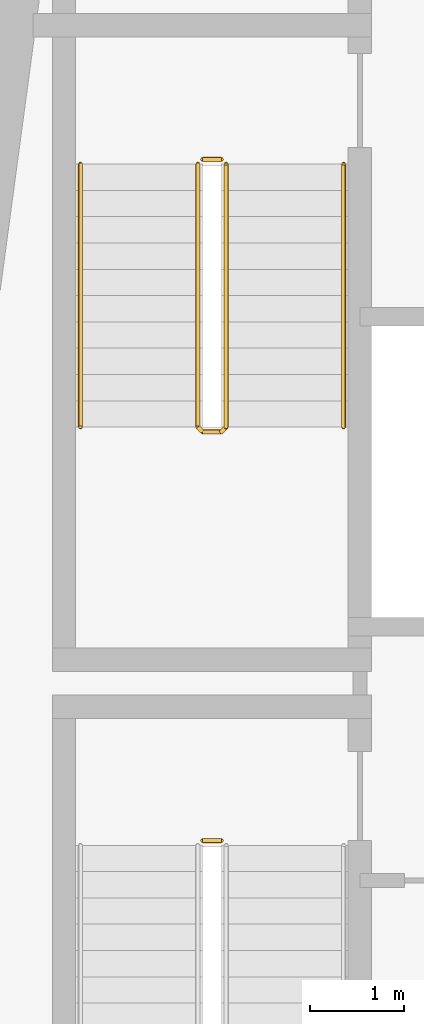
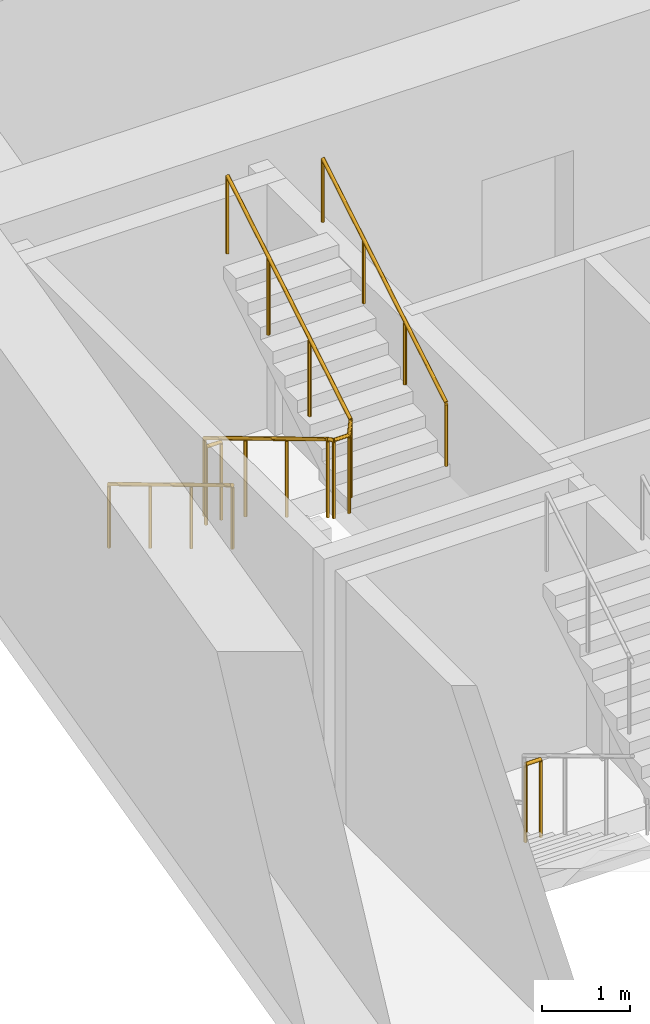
# One storey, part 9 of 12: 5 railings.
"""IFC4 building model written with IfcOpenShell, lengths in metres."""

from ifc_helpers import new_model, si_unit, direction, frame, origin, origin_2d, place, context, subcontext, project, spatial, circle, extrude, material, type_object, element, save


model = new_model("IFC4")

# Units and contexts
model_context = context("Model", 3, precision=1e-05, world=origin(), true_north=direction((0.0, 1.0)))
body_context = subcontext(model_context, "Body", "Model", "MODEL_VIEW")
ifc_project = project(units=[si_unit("LENGTHUNIT", "METRE"), si_unit("AREAUNIT", "SQUARE_METRE"), si_unit("VOLUMEUNIT", "CUBIC_METRE"), si_unit("PLANEANGLEUNIT", "RADIAN"), si_unit("MASSUNIT", "GRAM", prefix="KILO")], contexts=[model_context])

# Site, building, storey
site_placement = place(None, origin())
site = spatial("IfcSite", under=ifc_project, at=site_placement, CompositionType="ELEMENT")
building_placement = place(site_placement, origin())
building = spatial("IfcBuilding", under=site, at=building_placement, Name="Candeia Pilgrim Tower and Theatre", CompositionType="ELEMENT")
storey_placement = place(building_placement, frame((0.0, 0.0, 162.60009765625)))
storey = spatial("IfcBuildingStorey", under=building, at=storey_placement, Name="L38", CompositionType="ELEMENT", Elevation=162.60009765625)

# Railings
ifc_material_1 = material(Name="Stainless steel balustrade", Category="steel")
railing_type_1 = type_object("IfcRailingType", Name="RL-GUARD-1100", PredefinedType="GUARDRAIL", material=ifc_material_1)
railing_1_placement = place(storey_placement, frame((91.152099609375, 122.52490234375, 0.0)))
element("IfcRailing", 1, at=railing_1_placement, inside=storey, type_object=railing_type_1, Name="L38 ST1 stair guard 2", PredefinedType="GUARDRAIL", context=body_context, shape_type="SweptSolid", body=[
    extrude(circle(Radius=0.02392578125, at=origin_2d()), frame((0.0, 0.0, 1.076171875), z_axis=(1.0, 0.0, 0.0), x_axis=(0.0, 1.0, 0.0)), (0.0, 0.0, 1.0), 0.199951171875),
    extrude(circle(Radius=0.02099609375, at=origin_2d()), origin(), (0.0, 0.0, 1.0), 1.052001953125),
    extrude(circle(Radius=0.02099609375, at=origin_2d()), frame((0.199951171875, 0.0, 0.0)), (0.0, 0.0, 1.0), 1.052001953125),
])
railing_2_placement = place(storey_placement, frame((91.10205078125, 129.72509765625, 0.16796875)))
element("IfcRailing", 2, at=railing_2_placement, inside=storey, type_object=railing_type_1, Name="L38 ST2 stair guard 1", PredefinedType="GUARDRAIL", context=body_context, shape_type="SweptSolid", body=[
    extrude(circle(Radius=0.02392578125, at=origin_2d()), frame((0.0, 0.0, 1.076171875), z_axis=(0.0, -0.857242210791, 0.514913383045), x_axis=(1.0, 0.0, 0.0)), (0.0, 0.0, 1.0), 3.266357421875),
    extrude(circle(Radius=0.02392578125, at=origin_2d()), frame((0.0, -2.800048828125, 2.7578125), z_axis=(0.707106781187, -0.707106781187, 0.0), x_axis=(0.707106781187, 0.707106781187, 0.0)), (0.0, 0.0, 1.0), 0.07080078125),
    extrude(circle(Radius=0.02392578125, at=origin_2d()), frame((0.050048828125, -2.85009765625, 2.7578125), z_axis=(1.0, 0.0, 0.0), x_axis=(0.0, 1.0, 0.0)), (0.0, 0.0, 1.0), 0.199951171875),
    extrude(circle(Radius=0.02392578125, at=origin_2d()), frame((0.25, -2.85009765625, 2.7578125), z_axis=(0.274243871929, 0.274243871929, 0.92172696468), x_axis=(-0.707106781187, 0.707106781187, 0.0)), (0.0, 0.0, 1.0), 0.1826171875),
    extrude(circle(Radius=0.02392578125, at=origin_2d()), frame((0.300048828125, -2.800048828125, 2.92626953125), z_axis=(0.0, 0.857242210791, 0.514913383045), x_axis=(-1.0, 0.0, 0.0)), (0.0, 0.0, 1.0), 3.266357421875),
    extrude(circle(Radius=0.02099609375, at=origin_2d()), origin(), (0.0, 0.0, 1.0), 1.052001953125),
    extrude(circle(Radius=0.02099609375, at=origin_2d()), frame((0.0, -0.933349609375, 0.560546875)), (0.0, 0.0, 1.0), 1.052001953125),
    extrude(circle(Radius=0.02099609375, at=origin_2d()), frame((0.0, -1.86669921875, 1.121337890625)), (0.0, 0.0, 1.0), 1.052001953125),
    extrude(circle(Radius=0.02099609375, at=origin_2d()), frame((0.0, -2.800048828125, 1.681884765625)), (0.0, 0.0, 1.0), 1.052001953125),
    extrude(circle(Radius=0.02099609375, at=origin_2d()), frame((0.050048828125, -2.85009765625, 1.681884765625)), (0.0, 0.0, 1.0), 1.052001953125),
    extrude(circle(Radius=0.02099609375, at=origin_2d()), frame((0.25, -2.85009765625, 1.681884765625)), (0.0, 0.0, 1.0), 1.052001953125),
    extrude(circle(Radius=0.02099609375, at=origin_2d()), frame((0.300048828125, -2.800048828125, 1.85009765625)), (0.0, 0.0, 1.0), 1.052001953125),
    extrude(circle(Radius=0.02099609375, at=origin_2d()), frame((0.300048828125, -1.86669921875, 2.41064453125)), (0.0, 0.0, 1.0), 1.052001953125),
    extrude(circle(Radius=0.02099609375, at=origin_2d()), frame((0.300048828125, -0.933349609375, 2.971435546875)), (0.0, 0.0, 1.0), 1.052001953125),
    extrude(circle(Radius=0.02099609375, at=origin_2d()), frame((0.300048828125, 0.0, 3.531982421875)), (0.0, 0.0, 1.0), 1.052001953125),
])
railing_3_placement = place(storey_placement, frame((91.152099609375, 129.77490234375, 0.0)))
element("IfcRailing", 3, at=railing_3_placement, inside=storey, type_object=railing_type_1, Name="L38 ST2 stair guard 2", PredefinedType="GUARDRAIL", context=body_context, shape_type="SweptSolid", body=[
    extrude(circle(Radius=0.02392578125, at=origin_2d()), frame((0.0, 0.0, 1.076171875), z_axis=(1.0, 0.0, 0.0), x_axis=(0.0, 1.0, 0.0)), (0.0, 0.0, 1.0), 0.199951171875),
    extrude(circle(Radius=0.02099609375, at=origin_2d()), origin(), (0.0, 0.0, 1.0), 1.052001953125),
    extrude(circle(Radius=0.02099609375, at=origin_2d()), frame((0.199951171875, 0.0, 0.0)), (0.0, 0.0, 1.0), 1.052001953125),
])
ifc_material_2 = material(Name="Stainless steel handrail", Category="steel")
railing_type_2 = type_object("IfcRailingType", Name="RL-HANDRAIL-900", PredefinedType="HANDRAIL", material=ifc_material_2)
railing_4_placement = place(storey_placement, frame((89.85205078125, 129.72509765625, 0.16796875)))
element("IfcRailing", 4, at=railing_4_placement, inside=storey, type_object=railing_type_2, Name="L38 ST2 stair handrail 1", PredefinedType="HANDRAIL", context=body_context, shape_type="SweptSolid", body=[
    extrude(circle(Radius=0.02392578125, at=origin_2d()), frame((0.0, 0.0, 0.8759765625), z_axis=(0.0, -0.857242210791, 0.514913383045), x_axis=(1.0, 0.0, 0.0)), (0.0, 0.0, 1.0), 3.266357421875),
    extrude(circle(Radius=0.02099609375, at=origin_2d()), origin(), (0.0, 0.0, 1.0), 0.851806640625),
    extrude(circle(Radius=0.02099609375, at=origin_2d()), frame((0.0, -0.933349609375, 0.560546875)), (0.0, 0.0, 1.0), 0.851806640625),
    extrude(circle(Radius=0.02099609375, at=origin_2d()), frame((0.0, -1.86669921875, 1.121337890625)), (0.0, 0.0, 1.0), 0.851806640625),
    extrude(circle(Radius=0.02099609375, at=origin_2d()), frame((0.0, -2.800048828125, 1.681884765625)), (0.0, 0.0, 1.0), 0.851806640625),
])
railing_5_placement = place(storey_placement, frame((92.652099609375, 126.925048828125, 2.01806640625)))
element("IfcRailing", 5, at=railing_5_placement, inside=storey, type_object=railing_type_2, Name="L38 ST2 stair handrail 2", PredefinedType="HANDRAIL", context=body_context, shape_type="SweptSolid", body=[
    extrude(circle(Radius=0.02392578125, at=origin_2d()), frame((0.0, 0.0, 0.8759765625), z_axis=(0.0, 0.857242210791, 0.514913383045), x_axis=(-1.0, 0.0, 0.0)), (0.0, 0.0, 1.0), 3.266357421875),
    extrude(circle(Radius=0.02099609375, at=origin_2d()), origin(), (0.0, 0.0, 1.0), 0.851806640625),
    extrude(circle(Radius=0.02099609375, at=origin_2d()), frame((0.0, 0.933349609375, 0.560546875)), (0.0, 0.0, 1.0), 0.851806640625),
    extrude(circle(Radius=0.02099609375, at=origin_2d()), frame((0.0, 1.86669921875, 1.121337890625)), (0.0, 0.0, 1.0), 0.851806640625),
    extrude(circle(Radius=0.02099609375, at=origin_2d()), frame((0.0, 2.800048828125, 1.681884765625)), (0.0, 0.0, 1.0), 0.851806640625),
])

save(model, "model.ifc")
